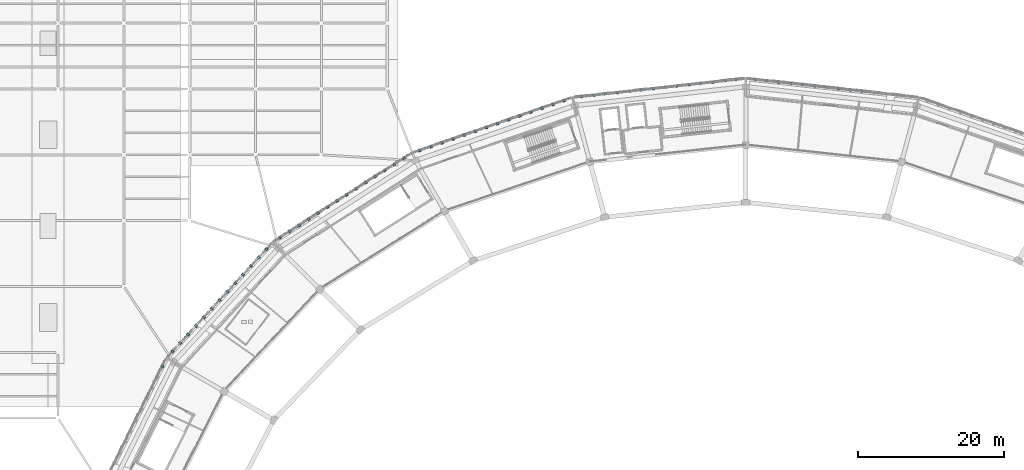
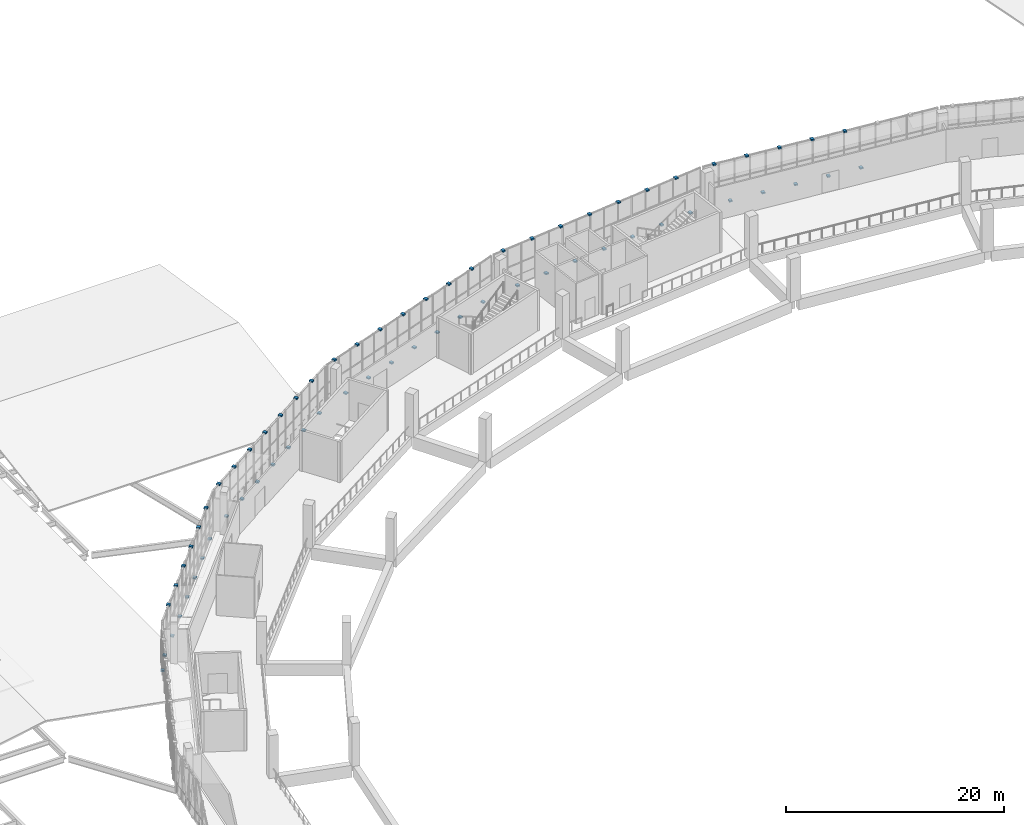
# One storey, part 80 of 108: 66 discrete accessories.
"""IFC4 building model written with IfcOpenShell, lengths in metres."""

from ifc_helpers import new_model, si_unit, direction, frame, origin, origin_2d, place, context, subcontext, project, spatial, rectangle, extrude, material, layer, layer_set, type_object, element, save


model = new_model("IFC4")

# Units and contexts
model_context = context("Model", 3, precision=1e-05, world=origin(), true_north=direction((0.0, 1.0)))
body_context = subcontext(model_context, "Body", "Model", "MODEL_VIEW")
ifc_project = project(units=[si_unit("LENGTHUNIT", "METRE"), si_unit("AREAUNIT", "SQUARE_METRE"), si_unit("VOLUMEUNIT", "CUBIC_METRE"), si_unit("PLANEANGLEUNIT", "RADIAN"), si_unit("MASSUNIT", "GRAM", prefix="KILO")], contexts=[model_context])

# Site, building, storey
site_placement = place(None, origin())
site = spatial("IfcSite", under=ifc_project, at=site_placement, CompositionType="ELEMENT")
building_placement = place(site_placement, origin())
building = spatial("IfcBuilding", under=site, at=building_placement, Name="Zevraka Park Crest Stadium", CompositionType="ELEMENT")
storey_placement = place(building_placement, frame((0.0, 0.0, 19.800048828125)))
storey = spatial("IfcBuildingStorey", under=building, at=storey_placement, Name="L04", CompositionType="ELEMENT", Elevation=19.800048828125)

# Discrete accessories
ifc_material = material(Name="Galvanised steel bracketry", Category="steel")
ifc_layer = layer(ifc_material, 0.1201171875)
ifc_layer_set = layer_set([ifc_layer], Name="Galvanised steel bracketry")
discrete_accessory_type = type_object("IfcDiscreteAccessoryType", Name="BRK01", PredefinedType="BRACKET", material=ifc_layer_set)
for number, where, z_axis, x_axis, name in (
    (1, (127.903076171875, 166.68896484375, -0.16015625), (0.0, 0.0, 1.0), (-0.993999199399, 0.109387346587, 0.0), "Bronze Screen Carrier Bracket BRK01 L04-05-5"),
    (2, (126.27587890625, 166.867919921875, 4.39990234375), (0.0, 0.0, 1.0), (-0.993999199399, 0.109387346587, 0.0), "Bronze Screen Carrier Bracket BRK01 L04-05-6"),
    (3, (124.64794921875, 167.047119140625, -0.16015625), (0.0, 0.0, 1.0), (-0.993999199399, 0.109387346587, 0.0), "Bronze Screen Carrier Bracket BRK01 L04-05-7"),
    (4, (123.02001953125, 167.22607421875, 4.39990234375), (0.0, 0.0, 1.0), (-0.993999199399, 0.109387346587, 0.0), "Bronze Screen Carrier Bracket BRK01 L04-05-8"),
    (5, (121.39208984375, 167.405029296875, -0.16015625), (0.0, 0.0, 1.0), (-0.993999199399, 0.109387346587, 0.0), "Bronze Screen Carrier Bracket BRK01 L04-05-9"),
    (6, (119.764892578125, 167.583984375, 4.39990234375), (0.0, 0.0, 1.0), (-0.993999199399, 0.109387346587, 0.0), "Bronze Screen Carrier Bracket BRK01 L04-05-10"),
    (7, (118.136962890625, 167.763916015625, -0.16015625), (0.0, 0.0, 1.0), (-0.993999199399, 0.109387346587, 0.0), "Bronze Screen Carrier Bracket BRK01 L04-05-11"),
    (8, (116.509033203125, 167.943115234375, 4.39990234375), (0.0, 0.0, 1.0), (-0.993999199399, 0.109387346587, 0.0), "Bronze Screen Carrier Bracket BRK01 L04-05-12"),
    (9, (114.882080078125, 168.1220703125, -0.16015625), (0.0, 0.0, 1.0), (-0.993999199399, 0.109387346587, 0.0), "Bronze Screen Carrier Bracket BRK01 L04-05-13"),
    (10, (113.25390625, 168.301025390625, 4.39990234375), (0.0, 0.0, 1.0), (-0.993999199399, 0.109387346587, 0.0), "Bronze Screen Carrier Bracket BRK01 L04-05-14"),
    (11, (110.74609375, 168.301025390625, -0.16015625), (0.0, 0.0, 1.0), (-0.993999199399, -0.109387346587, 0.0), "Bronze Screen Carrier Bracket BRK01 L04-06-1"),
    (12, (109.117919921875, 168.1220703125, 4.39990234375), (0.0, 0.0, 1.0), (-0.993999199399, -0.109387346587, 0.0), "Bronze Screen Carrier Bracket BRK01 L04-06-2"),
    (13, (107.490966796875, 167.943115234375, -0.16015625), (0.0, 0.0, 1.0), (-0.993999199399, -0.109387346587, 0.0), "Bronze Screen Carrier Bracket BRK01 L04-06-3"),
    (14, (105.863037109375, 167.763916015625, 4.39990234375), (0.0, 0.0, 1.0), (-0.993999199399, -0.109387346587, 0.0), "Bronze Screen Carrier Bracket BRK01 L04-06-4"),
    (15, (104.235107421875, 167.583984375, -0.16015625), (0.0, 0.0, 1.0), (-0.993999199399, -0.109387346587, 0.0), "Bronze Screen Carrier Bracket BRK01 L04-06-5"),
    (16, (102.60791015625, 167.405029296875, 4.39990234375), (0.0, 0.0, 1.0), (-0.993999199399, -0.109387346587, 0.0), "Bronze Screen Carrier Bracket BRK01 L04-06-6"),
    (17, (100.97998046875, 167.22607421875, -0.16015625), (0.0, 0.0, 1.0), (-0.993999199399, -0.109387346587, 0.0), "Bronze Screen Carrier Bracket BRK01 L04-06-7"),
    (18, (99.35205078125, 167.047119140625, 4.39990234375), (0.0, 0.0, 1.0), (-0.993999199399, -0.109387346587, 0.0), "Bronze Screen Carrier Bracket BRK01 L04-06-8"),
    (19, (97.72412109375, 166.867919921875, -0.16015625), (0.0, 0.0, 1.0), (-0.993999199399, -0.109387346587, 0.0), "Bronze Screen Carrier Bracket BRK01 L04-06-9"),
    (20, (96.096923828125, 166.68896484375, 4.39990234375), (0.0, 0.0, 1.0), (-0.993999199399, -0.109387346587, 0.0), "Bronze Screen Carrier Bracket BRK01 L04-06-10"),
    (21, (94.468994140625, 166.509033203125, -0.16015625), (0.0, 0.0, 1.0), (-0.993999199399, -0.109387346587, 0.0), "Bronze Screen Carrier Bracket BRK01 L04-06-11"),
    (22, (92.841064453125, 166.330078125, 4.39990234375), (0.0, 0.0, 1.0), (-0.993999199399, -0.109387346587, 0.0), "Bronze Screen Carrier Bracket BRK01 L04-06-12"),
    (23, (91.214111328125, 166.15087890625, -0.16015625), (0.0, 0.0, 1.0), (-0.993999199399, -0.109387346587, 0.0), "Bronze Screen Carrier Bracket BRK01 L04-06-13"),
    (24, (89.5859375, 165.971923828125, 4.39990234375), (0.0, 0.0, 1.0), (-0.993999199399, -0.109387346587, 0.0), "Bronze Screen Carrier Bracket BRK01 L04-06-14"),
    (25, (87.155029296875, 165.426025390625, -0.16015625), (0.0, 0.0, 1.0), (-0.944948912158, -0.327217898979, 0.0), "Bronze Screen Carrier Bracket BRK01 L04-07-1"),
    (26, (85.638916015625, 164.902099609375, 4.39990234375), (0.0, 0.0, 1.0), (-0.944948912158, -0.327217898979, 0.0), "Bronze Screen Carrier Bracket BRK01 L04-07-2"),
    (27, (84.1240234375, 164.376953125, -0.16015625), (0.0, 0.0, 1.0), (-0.944948912158, -0.327217898979, 0.0), "Bronze Screen Carrier Bracket BRK01 L04-07-3"),
    (28, (82.60791015625, 163.85205078125, 4.39990234375), (0.0, 0.0, 1.0), (-0.944948912158, -0.327217898979, 0.0), "Bronze Screen Carrier Bracket BRK01 L04-07-4"),
    (29, (81.093017578125, 163.326904296875, -0.16015625), (0.0, 0.0, 1.0), (-0.944948912158, -0.327217898979, 0.0), "Bronze Screen Carrier Bracket BRK01 L04-07-5"),
    (30, (79.576904296875, 162.802001953125, 4.39990234375), (0.0, 0.0, 1.0), (-0.944948912158, -0.327217898979, 0.0), "Bronze Screen Carrier Bracket BRK01 L04-07-6"),
    (31, (78.06201171875, 162.277099609375, -0.16015625), (0.0, 0.0, 1.0), (-0.944948912158, -0.327217898979, 0.0), "Bronze Screen Carrier Bracket BRK01 L04-07-7"),
    (32, (76.5458984375, 161.7529296875, 4.39990234375), (0.0, 0.0, 1.0), (-0.944948912158, -0.327217898979, 0.0), "Bronze Screen Carrier Bracket BRK01 L04-07-8"),
    (33, (75.031005859375, 161.22802734375, -0.16015625), (0.0, 0.0, 1.0), (-0.944948912158, -0.327217898979, 0.0), "Bronze Screen Carrier Bracket BRK01 L04-07-9"),
    (34, (73.514892578125, 160.702880859375, 4.39990234375), (0.0, 0.0, 1.0), (-0.944948912158, -0.327217898979, 0.0), "Bronze Screen Carrier Bracket BRK01 L04-07-10"),
    (35, (72.0, 160.177978515625, -0.16015625), (0.0, 0.0, 1.0), (-0.944948912158, -0.327217898979, 0.0), "Bronze Screen Carrier Bracket BRK01 L04-07-11"),
    (36, (70.48388671875, 159.653076171875, 4.39990234375), (0.0, 0.0, 1.0), (-0.944948912158, -0.327217898979, 0.0), "Bronze Screen Carrier Bracket BRK01 L04-07-12"),
    (37, (68.968994140625, 159.1279296875, -0.16015625), (0.0, 0.0, 1.0), (-0.944948912158, -0.327217898979, 0.0), "Bronze Screen Carrier Bracket BRK01 L04-07-13"),
    (38, (67.452880859375, 158.60400390625, 4.39990234375), (0.0, 0.0, 1.0), (-0.944948912158, -0.327217898979, 0.0), "Bronze Screen Carrier Bracket BRK01 L04-07-14"),
    (39, (65.25390625, 157.5400390625, -0.16015625), (0.0, 0.0, 1.0), (-0.841699310121, -0.539946544894, 0.0), "Bronze Screen Carrier Bracket BRK01 L04-08-1"),
    (40, (63.9541015625, 156.70703125, 4.39990234375), (0.0, 0.0, 1.0), (-0.841699310121, -0.539946544894, 0.0), "Bronze Screen Carrier Bracket BRK01 L04-08-2"),
    (41, (62.655029296875, 155.873046875, -0.16015625), (0.0, 0.0, 1.0), (-0.841699310121, -0.539946544894, 0.0), "Bronze Screen Carrier Bracket BRK01 L04-08-3"),
    (42, (61.35498046875, 155.0390625, 4.39990234375), (0.0, 0.0, 1.0), (-0.841699310121, -0.539946544894, 0.0), "Bronze Screen Carrier Bracket BRK01 L04-08-4"),
    (43, (60.055908203125, 154.2060546875, -0.16015625), (0.0, 0.0, 1.0), (-0.841699310121, -0.539946544894, 0.0), "Bronze Screen Carrier Bracket BRK01 L04-08-5"),
    (44, (58.756103515625, 153.3720703125, 4.39990234375), (0.0, 0.0, 1.0), (-0.841699310121, -0.539946544894, 0.0), "Bronze Screen Carrier Bracket BRK01 L04-08-6"),
    (45, (57.45703125, 152.5380859375, -0.16015625), (0.0, 0.0, 1.0), (-0.841699310121, -0.539946544894, 0.0), "Bronze Screen Carrier Bracket BRK01 L04-08-7"),
    (46, (56.156982421875, 151.705078125, 4.39990234375), (0.0, 0.0, 1.0), (-0.841699310121, -0.539946544894, 0.0), "Bronze Screen Carrier Bracket BRK01 L04-08-8"),
    (47, (54.85791015625, 150.87109375, -0.16015625), (0.0, 0.0, 1.0), (-0.841699310121, -0.539946544894, 0.0), "Bronze Screen Carrier Bracket BRK01 L04-08-9"),
    (48, (53.55810546875, 150.037109375, 4.39990234375), (0.0, 0.0, 1.0), (-0.841699310121, -0.539946544894, 0.0), "Bronze Screen Carrier Bracket BRK01 L04-08-10"),
    (49, (52.259033203125, 149.2041015625, -0.16015625), (0.0, 0.0, 1.0), (-0.841699310121, -0.539946544894, 0.0), "Bronze Screen Carrier Bracket BRK01 L04-08-11"),
    (50, (50.958984375, 148.3701171875, 4.39990234375), (0.0, 0.0, 1.0), (-0.841699310121, -0.539946544894, 0.0), "Bronze Screen Carrier Bracket BRK01 L04-08-12"),
    (51, (49.659912109375, 147.535888671875, -0.16015625), (0.0, 0.0, 1.0), (-0.841699310121, -0.539946544894, 0.0), "Bronze Screen Carrier Bracket BRK01 L04-08-13"),
    (52, (48.360107421875, 146.702880859375, 4.39990234375), (0.0, 0.0, 1.0), (-0.841699310121, -0.539946544894, 0.0), "Bronze Screen Carrier Bracket BRK01 L04-08-14"),
    (53, (46.50390625, 145.137939453125, -0.16015625), (0.0, 0.0, 1.0), (-0.676104759618, -0.736805506238, 0.0), "Bronze Screen Carrier Bracket BRK01 L04-09-1"),
    (54, (45.431884765625, 143.969970703125, 4.39990234375), (0.0, 0.0, 1.0), (-0.676104759618, -0.736805506238, 0.0), "Bronze Screen Carrier Bracket BRK01 L04-09-2"),
    (55, (44.360107421875, 142.802001953125, -0.16015625), (0.0, 0.0, 1.0), (-0.676104759618, -0.736805506238, 0.0), "Bronze Screen Carrier Bracket BRK01 L04-09-3"),
    (56, (43.2890625, 141.634033203125, 4.39990234375), (0.0, 0.0, 1.0), (-0.676104759618, -0.736805506238, 0.0), "Bronze Screen Carrier Bracket BRK01 L04-09-4"),
    (57, (42.217041015625, 140.467041015625, -0.16015625), (0.0, 0.0, 1.0), (-0.676104759618, -0.736805506238, 0.0), "Bronze Screen Carrier Bracket BRK01 L04-09-5"),
    (58, (41.14501953125, 139.299072265625, 4.39990234375), (0.0, 0.0, 1.0), (-0.676104759618, -0.736805506238, 0.0), "Bronze Screen Carrier Bracket BRK01 L04-09-6"),
    (59, (40.073974609375, 138.131103515625, -0.16015625), (0.0, 0.0, 1.0), (-0.676104759618, -0.736805506238, 0.0), "Bronze Screen Carrier Bracket BRK01 L04-09-7"),
    (60, (39.001953125, 136.962890625, 4.39990234375), (0.0, 0.0, 1.0), (-0.676104759618, -0.736805506238, 0.0), "Bronze Screen Carrier Bracket BRK01 L04-09-8"),
    (61, (37.929931640625, 135.794921875, -0.16015625), (0.0, 0.0, 1.0), (-0.676104759618, -0.736805506238, 0.0), "Bronze Screen Carrier Bracket BRK01 L04-09-9"),
    (62, (36.85791015625, 134.6279296875, 4.39990234375), (0.0, 0.0, 1.0), (-0.676104759618, -0.736805506238, 0.0), "Bronze Screen Carrier Bracket BRK01 L04-09-10"),
    (63, (35.787109375, 133.4599609375, -0.16015625), (0.0, 0.0, 1.0), (-0.676104759618, -0.736805506238, 0.0), "Bronze Screen Carrier Bracket BRK01 L04-09-11"),
    (64, (34.715087890625, 132.2919921875, 4.39990234375), (0.0, 0.0, 1.0), (-0.676104759618, -0.736805506238, 0.0), "Bronze Screen Carrier Bracket BRK01 L04-09-12"),
    (65, (33.64306640625, 131.1240234375, -0.16015625), (0.0, 0.0, 1.0), (-0.676104759618, -0.736805506238, 0.0), "Bronze Screen Carrier Bracket BRK01 L04-09-13"),
    (66, (32.2490234375, 129.0849609375, -0.16015625), (0.0, 0.0, 1.0), (-0.444009746106, -0.896021955849, 0.0), "Bronze Screen Carrier Bracket BRK01 L04-10-1"),
):
    element("IfcDiscreteAccessory", number, at=place(storey_placement, frame(where, z_axis=z_axis, x_axis=x_axis)), inside=storey, type_object=discrete_accessory_type, Name=name, PredefinedType="BRACKET", context=body_context, shape_type="SweptSolid", body=[
        extrude(rectangle(XDim=0.320068359375, YDim=0.360107421875, at=origin_2d()), origin(), (0.0, 0.0, 1.0), 0.159912109375),
    ])

save(model, "model.ifc")
